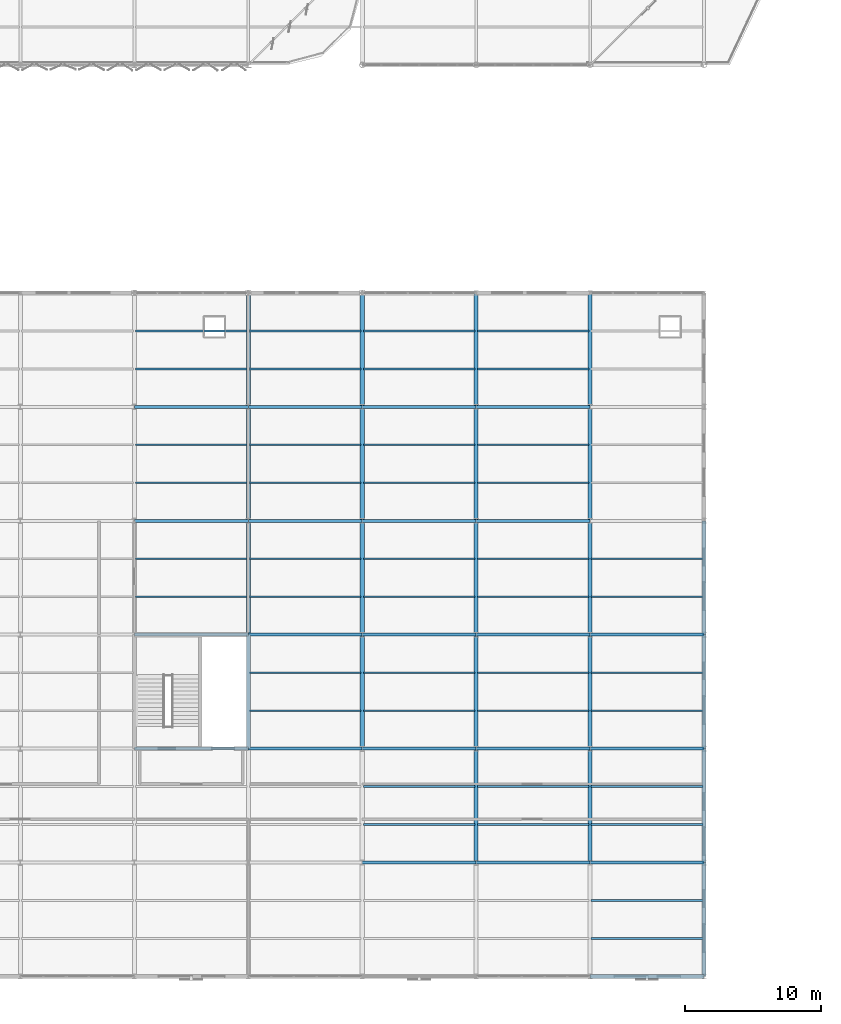
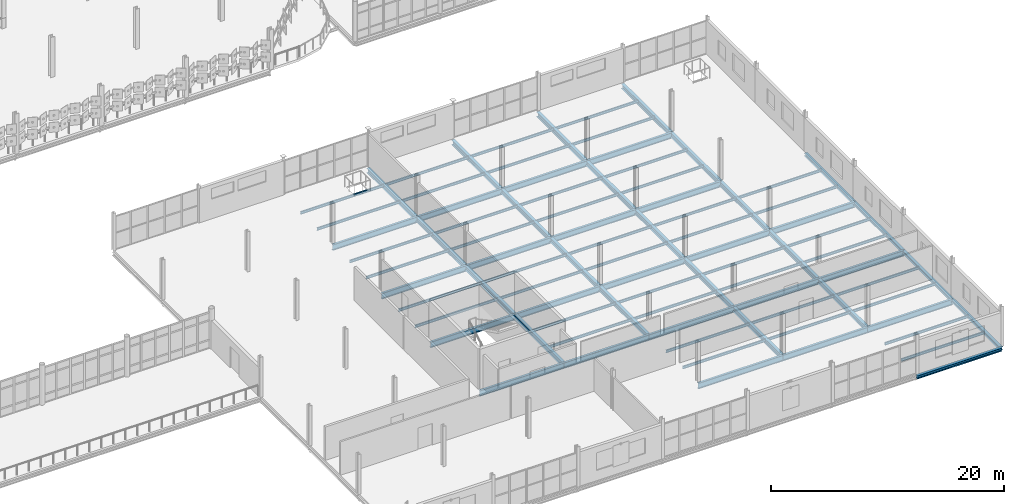
# One storey, part 98 of 163: 86 beams.
"""IFC4 building model written with IfcOpenShell, lengths in metres."""

from ifc_helpers import new_model, si_unit, direction, frame, origin, origin_2d, place, context, subcontext, project, spatial, i_section, extrude, material, material_profile, profile_set, type_object, element, save


model = new_model("IFC4")

# Units and contexts
model_context = context("Model", 3, precision=1e-05, world=origin(), true_north=direction((0.0, 1.0)))
body_context = subcontext(model_context, "Body", "Model", "MODEL_VIEW")
ifc_project = project(units=[si_unit("LENGTHUNIT", "METRE"), si_unit("AREAUNIT", "SQUARE_METRE"), si_unit("VOLUMEUNIT", "CUBIC_METRE"), si_unit("PLANEANGLEUNIT", "RADIAN"), si_unit("MASSUNIT", "GRAM", prefix="KILO")], contexts=[model_context])

# Site, building, storey
site_placement = place(None, origin())
site = spatial("IfcSite", under=ifc_project, at=site_placement, CompositionType="ELEMENT")
building_placement = place(site_placement, origin())
building = spatial("IfcBuilding", under=site, at=building_placement, Name="Qalvenar Corner Mobility Hub", CompositionType="ELEMENT")
storey_placement = place(building_placement, frame((0.0, 0.0, 4.800048828125)))
storey = spatial("IfcBuildingStorey", under=building, at=storey_placement, Name="L01", CompositionType="ELEMENT", Elevation=4.800048828125)

# Beams
ifc_material = material(Name="Steel S355", Category="steel")
ifc_material_profile_1 = material_profile(ifc_material, i_section(OverallWidth=0.300048828125, OverallDepth=0.489990234375, WebThickness=0.011962890625, FlangeThickness=0.02294921875, FilletRadius=0.027099609375, at=origin_2d()), Name="HEA500")
ifc_profile_set_1 = profile_set([ifc_material_profile_1], Name="Steel S355")
beam_type_1 = type_object("IfcBeamType", Name="BM-HEA500", PredefinedType="BEAM", material=ifc_profile_set_1)
beam_1_placement = place(storey_placement, frame((134.39990234375, 16.800048828125, -0.425048828125), z_axis=(0.0, 1.0, 0.0), x_axis=(-1.0, 0.0, 0.0)))
element("IfcBeam", 1, at=beam_1_placement, inside=storey, type_object=beam_type_1, Name="Primary Steel Girder GY-1046", PredefinedType="BEAM", context=body_context, shape_type="SweptSolid", body=[
    extrude(i_section(OverallWidth=0.300048828125, OverallDepth=0.489990234375, WebThickness=0.011962890625, FlangeThickness=0.02294921875, FilletRadius=0.027099609375, at=origin_2d()), origin(), (0.0, 0.0, 1.0), 8.39990234375),
])
beam_2_placement = place(storey_placement, frame((134.39990234375, 25.199951171875, -0.425048828125), z_axis=(0.0, 1.0, 0.0), x_axis=(-1.0, 0.0, 0.0)))
element("IfcBeam", 2, at=beam_2_placement, inside=storey, type_object=beam_type_1, Name="Primary Steel Girder GY-1047", PredefinedType="BEAM", context=body_context, shape_type="SweptSolid", body=[
    extrude(i_section(OverallWidth=0.300048828125, OverallDepth=0.489990234375, WebThickness=0.011962890625, FlangeThickness=0.02294921875, FilletRadius=0.027099609375, at=origin_2d()), origin(), (0.0, 0.0, 1.0), 8.400146484375),
])
for number, where, z_axis, x_axis, name in (
    (3, (134.39990234375, 33.60009765625, -0.425048828125), (0.0, 1.0, 0.0), (-1.0, 0.0, 0.0), "Primary Steel Girder GY-1048"),
    (4, (134.39990234375, 42.0, -0.425048828125), (0.0, 1.0, 0.0), (-1.0, 0.0, 0.0), "Primary Steel Girder GY-1049"),
    (5, (142.800048828125, 16.800048828125, -0.425048828125), (0.0, 1.0, 0.0), (-1.0, 0.0, 0.0), "Primary Steel Girder GY-1052"),
):
    element("IfcBeam", number, at=place(storey_placement, frame(where, z_axis=z_axis, x_axis=x_axis)), inside=storey, type_object=beam_type_1, Name=name, PredefinedType="BEAM", context=body_context, shape_type="SweptSolid", body=[
        extrude(i_section(OverallWidth=0.300048828125, OverallDepth=0.489990234375, WebThickness=0.011962890625, FlangeThickness=0.02294921875, FilletRadius=0.027099609375, at=origin_2d()), origin(), (0.0, 0.0, 1.0), 8.39990234375),
    ])
beam_3_placement = place(storey_placement, frame((142.800048828125, 25.199951171875, -0.425048828125), z_axis=(0.0, 1.0, 0.0), x_axis=(-1.0, 0.0, 0.0)))
element("IfcBeam", 6, at=beam_3_placement, inside=storey, type_object=beam_type_1, Name="Primary Steel Girder GY-1053", PredefinedType="BEAM", context=body_context, shape_type="SweptSolid", body=[
    extrude(i_section(OverallWidth=0.300048828125, OverallDepth=0.489990234375, WebThickness=0.011962890625, FlangeThickness=0.02294921875, FilletRadius=0.027099609375, at=origin_2d()), origin(), (0.0, 0.0, 1.0), 8.400146484375),
])
for number, where, z_axis, x_axis, name in (
    (7, (142.800048828125, 33.60009765625, -0.425048828125), (0.0, 1.0, 0.0), (-1.0, 0.0, 0.0), "Primary Steel Girder GY-1054"),
    (8, (142.800048828125, 42.0, -0.425048828125), (0.0, 1.0, 0.0), (-1.0, 0.0, 0.0), "Primary Steel Girder GY-1055"),
):
    element("IfcBeam", number, at=place(storey_placement, frame(where, z_axis=z_axis, x_axis=x_axis)), inside=storey, type_object=beam_type_1, Name=name, PredefinedType="BEAM", context=body_context, shape_type="SweptSolid", body=[
        extrude(i_section(OverallWidth=0.300048828125, OverallDepth=0.489990234375, WebThickness=0.011962890625, FlangeThickness=0.02294921875, FilletRadius=0.027099609375, at=origin_2d()), origin(), (0.0, 0.0, 1.0), 8.39990234375),
    ])
beam_4_placement = place(storey_placement, frame((151.199951171875, 8.39990234375, -0.425048828125), z_axis=(0.0, 1.0, 0.0), x_axis=(-1.0, 0.0, 0.0)))
element("IfcBeam", 9, at=beam_4_placement, inside=storey, type_object=beam_type_1, Name="Primary Steel Girder GY-1057", PredefinedType="BEAM", context=body_context, shape_type="SweptSolid", body=[
    extrude(i_section(OverallWidth=0.300048828125, OverallDepth=0.489990234375, WebThickness=0.011962890625, FlangeThickness=0.02294921875, FilletRadius=0.027099609375, at=origin_2d()), origin(), (0.0, 0.0, 1.0), 8.400146484375),
])
beam_5_placement = place(storey_placement, frame((151.199951171875, 16.800048828125, -0.425048828125), z_axis=(0.0, 1.0, 0.0), x_axis=(-1.0, 0.0, 0.0)))
element("IfcBeam", 10, at=beam_5_placement, inside=storey, type_object=beam_type_1, Name="Primary Steel Girder GY-1058", PredefinedType="BEAM", context=body_context, shape_type="SweptSolid", body=[
    extrude(i_section(OverallWidth=0.300048828125, OverallDepth=0.489990234375, WebThickness=0.011962890625, FlangeThickness=0.02294921875, FilletRadius=0.027099609375, at=origin_2d()), origin(), (0.0, 0.0, 1.0), 8.39990234375),
])
beam_6_placement = place(storey_placement, frame((151.199951171875, 25.199951171875, -0.425048828125), z_axis=(0.0, 1.0, 0.0), x_axis=(-1.0, 0.0, 0.0)))
element("IfcBeam", 11, at=beam_6_placement, inside=storey, type_object=beam_type_1, Name="Primary Steel Girder GY-1059", PredefinedType="BEAM", context=body_context, shape_type="SweptSolid", body=[
    extrude(i_section(OverallWidth=0.300048828125, OverallDepth=0.489990234375, WebThickness=0.011962890625, FlangeThickness=0.02294921875, FilletRadius=0.027099609375, at=origin_2d()), origin(), (0.0, 0.0, 1.0), 8.400146484375),
])
for number, where, z_axis, x_axis, name in (
    (12, (151.199951171875, 33.60009765625, -0.425048828125), (0.0, 1.0, 0.0), (-1.0, 0.0, 0.0), "Primary Steel Girder GY-1060"),
    (13, (151.199951171875, 42.0, -0.425048828125), (0.0, 1.0, 0.0), (-1.0, 0.0, 0.0), "Primary Steel Girder GY-1061"),
):
    element("IfcBeam", number, at=place(storey_placement, frame(where, z_axis=z_axis, x_axis=x_axis)), inside=storey, type_object=beam_type_1, Name=name, PredefinedType="BEAM", context=body_context, shape_type="SweptSolid", body=[
        extrude(i_section(OverallWidth=0.300048828125, OverallDepth=0.489990234375, WebThickness=0.011962890625, FlangeThickness=0.02294921875, FilletRadius=0.027099609375, at=origin_2d()), origin(), (0.0, 0.0, 1.0), 8.39990234375),
    ])
beam_7_placement = place(storey_placement, frame((159.60009765625, 8.39990234375, -0.425048828125), z_axis=(0.0, 1.0, 0.0), x_axis=(-1.0, 0.0, 0.0)))
element("IfcBeam", 14, at=beam_7_placement, inside=storey, type_object=beam_type_1, Name="Primary Steel Girder GY-1063", PredefinedType="BEAM", context=body_context, shape_type="SweptSolid", body=[
    extrude(i_section(OverallWidth=0.300048828125, OverallDepth=0.489990234375, WebThickness=0.011962890625, FlangeThickness=0.02294921875, FilletRadius=0.027099609375, at=origin_2d()), origin(), (0.0, 0.0, 1.0), 8.400146484375),
])
beam_8_placement = place(storey_placement, frame((159.60009765625, 16.800048828125, -0.425048828125), z_axis=(0.0, 1.0, 0.0), x_axis=(-1.0, 0.0, 0.0)))
element("IfcBeam", 15, at=beam_8_placement, inside=storey, type_object=beam_type_1, Name="Primary Steel Girder GY-1064", PredefinedType="BEAM", context=body_context, shape_type="SweptSolid", body=[
    extrude(i_section(OverallWidth=0.300048828125, OverallDepth=0.489990234375, WebThickness=0.011962890625, FlangeThickness=0.02294921875, FilletRadius=0.027099609375, at=origin_2d()), origin(), (0.0, 0.0, 1.0), 8.39990234375),
])
beam_9_placement = place(storey_placement, frame((159.60009765625, 25.199951171875, -0.425048828125), z_axis=(0.0, 1.0, 0.0), x_axis=(-1.0, 0.0, 0.0)))
element("IfcBeam", 16, at=beam_9_placement, inside=storey, type_object=beam_type_1, Name="Primary Steel Girder GY-1065", PredefinedType="BEAM", context=body_context, shape_type="SweptSolid", body=[
    extrude(i_section(OverallWidth=0.300048828125, OverallDepth=0.489990234375, WebThickness=0.011962890625, FlangeThickness=0.02294921875, FilletRadius=0.027099609375, at=origin_2d()), origin(), (0.0, 0.0, 1.0), 8.400146484375),
])
for number, where, z_axis, x_axis, name in (
    (17, (159.60009765625, 33.60009765625, -0.425048828125), (0.0, 1.0, 0.0), (-1.0, 0.0, 0.0), "Primary Steel Girder GY-1066"),
    (18, (159.60009765625, 42.0, -0.425048828125), (0.0, 1.0, 0.0), (-1.0, 0.0, 0.0), "Primary Steel Girder GY-1067"),
):
    element("IfcBeam", number, at=place(storey_placement, frame(where, z_axis=z_axis, x_axis=x_axis)), inside=storey, type_object=beam_type_1, Name=name, PredefinedType="BEAM", context=body_context, shape_type="SweptSolid", body=[
        extrude(i_section(OverallWidth=0.300048828125, OverallDepth=0.489990234375, WebThickness=0.011962890625, FlangeThickness=0.02294921875, FilletRadius=0.027099609375, at=origin_2d()), origin(), (0.0, 0.0, 1.0), 8.39990234375),
    ])
ifc_material_profile_2 = material_profile(ifc_material, i_section(OverallWidth=0.219970703125, OverallDepth=0.60009765625, WebThickness=0.011962890625, FlangeThickness=0.01904296875, FilletRadius=0.02392578125, at=origin_2d()), Name="IPE600")
ifc_profile_set_2 = profile_set([ifc_material_profile_2], Name="Steel S355")
beam_type_2 = type_object("IfcBeamType", Name="BM-IPE600", PredefinedType="BEAM", material=ifc_profile_set_2)
beam_10_placement = place(storey_placement, frame((142.800048828125, 8.39990234375, -0.47998046875), z_axis=(1.0, 0.0, 0.0), x_axis=(0.0, 1.0, 0.0)))
element("IfcBeam", 19, at=beam_10_placement, inside=storey, type_object=beam_type_2, Name="Primary Steel Girder GX-0989", PredefinedType="BEAM", context=body_context, shape_type="SweptSolid", body=[
    extrude(i_section(OverallWidth=0.219970703125, OverallDepth=0.60009765625, WebThickness=0.011962890625, FlangeThickness=0.01904296875, FilletRadius=0.02392578125, at=origin_2d()), origin(), (0.0, 0.0, 1.0), 8.39990234375),
])
beam_11_placement = place(storey_placement, frame((151.199951171875, 8.39990234375, -0.47998046875), z_axis=(1.0, 0.0, 0.0), x_axis=(0.0, 1.0, 0.0)))
element("IfcBeam", 20, at=beam_11_placement, inside=storey, type_object=beam_type_2, Name="Primary Steel Girder GX-0990", PredefinedType="BEAM", context=body_context, shape_type="SweptSolid", body=[
    extrude(i_section(OverallWidth=0.219970703125, OverallDepth=0.60009765625, WebThickness=0.011962890625, FlangeThickness=0.01904296875, FilletRadius=0.02392578125, at=origin_2d()), origin(), (0.0, 0.0, 1.0), 8.400146484375),
])
for number, where, z_axis, x_axis, name in (
    (21, (159.60009765625, 8.39990234375, -0.47998046875), (1.0, 0.0, 0.0), (0.0, 1.0, 0.0), "Primary Steel Girder GX-0991"),
    (22, (126.0, 16.800048828125, -0.47998046875), (1.0, 0.0, 0.0), (0.0, 1.0, 0.0), "Primary Steel Girder GX-0994"),
):
    element("IfcBeam", number, at=place(storey_placement, frame(where, z_axis=z_axis, x_axis=x_axis)), inside=storey, type_object=beam_type_2, Name=name, PredefinedType="BEAM", context=body_context, shape_type="SweptSolid", body=[
        extrude(i_section(OverallWidth=0.219970703125, OverallDepth=0.60009765625, WebThickness=0.011962890625, FlangeThickness=0.01904296875, FilletRadius=0.02392578125, at=origin_2d()), origin(), (0.0, 0.0, 1.0), 8.39990234375),
    ])
beam_12_placement = place(storey_placement, frame((134.39990234375, 16.800048828125, -0.47998046875), z_axis=(1.0, 0.0, 0.0), x_axis=(0.0, 1.0, 0.0)))
element("IfcBeam", 23, at=beam_12_placement, inside=storey, type_object=beam_type_2, Name="Primary Steel Girder GX-0995", PredefinedType="BEAM", context=body_context, shape_type="SweptSolid", body=[
    extrude(i_section(OverallWidth=0.219970703125, OverallDepth=0.60009765625, WebThickness=0.011962890625, FlangeThickness=0.01904296875, FilletRadius=0.02392578125, at=origin_2d()), origin(), (0.0, 0.0, 1.0), 8.400146484375),
])
beam_13_placement = place(storey_placement, frame((142.800048828125, 16.800048828125, -0.47998046875), z_axis=(1.0, 0.0, 0.0), x_axis=(0.0, 1.0, 0.0)))
element("IfcBeam", 24, at=beam_13_placement, inside=storey, type_object=beam_type_2, Name="Primary Steel Girder GX-0996", PredefinedType="BEAM", context=body_context, shape_type="SweptSolid", body=[
    extrude(i_section(OverallWidth=0.219970703125, OverallDepth=0.60009765625, WebThickness=0.011962890625, FlangeThickness=0.01904296875, FilletRadius=0.02392578125, at=origin_2d()), origin(), (0.0, 0.0, 1.0), 8.39990234375),
])
beam_14_placement = place(storey_placement, frame((151.199951171875, 16.800048828125, -0.47998046875), z_axis=(1.0, 0.0, 0.0), x_axis=(0.0, 1.0, 0.0)))
element("IfcBeam", 25, at=beam_14_placement, inside=storey, type_object=beam_type_2, Name="Primary Steel Girder GX-0997", PredefinedType="BEAM", context=body_context, shape_type="SweptSolid", body=[
    extrude(i_section(OverallWidth=0.219970703125, OverallDepth=0.60009765625, WebThickness=0.011962890625, FlangeThickness=0.01904296875, FilletRadius=0.02392578125, at=origin_2d()), origin(), (0.0, 0.0, 1.0), 8.400146484375),
])
for number, where, z_axis, x_axis, name in (
    (26, (159.60009765625, 16.800048828125, -0.47998046875), (1.0, 0.0, 0.0), (0.0, 1.0, 0.0), "Primary Steel Girder GX-0998"),
    (27, (126.0, 25.199951171875, -0.47998046875), (1.0, 0.0, 0.0), (0.0, 1.0, 0.0), "Primary Steel Girder GX-1001"),
):
    element("IfcBeam", number, at=place(storey_placement, frame(where, z_axis=z_axis, x_axis=x_axis)), inside=storey, type_object=beam_type_2, Name=name, PredefinedType="BEAM", context=body_context, shape_type="SweptSolid", body=[
        extrude(i_section(OverallWidth=0.219970703125, OverallDepth=0.60009765625, WebThickness=0.011962890625, FlangeThickness=0.01904296875, FilletRadius=0.02392578125, at=origin_2d()), origin(), (0.0, 0.0, 1.0), 8.39990234375),
    ])
beam_15_placement = place(storey_placement, frame((134.39990234375, 25.199951171875, -0.47998046875), z_axis=(1.0, 0.0, 0.0), x_axis=(0.0, 1.0, 0.0)))
element("IfcBeam", 28, at=beam_15_placement, inside=storey, type_object=beam_type_2, Name="Primary Steel Girder GX-1002", PredefinedType="BEAM", context=body_context, shape_type="SweptSolid", body=[
    extrude(i_section(OverallWidth=0.219970703125, OverallDepth=0.60009765625, WebThickness=0.011962890625, FlangeThickness=0.01904296875, FilletRadius=0.02392578125, at=origin_2d()), origin(), (0.0, 0.0, 1.0), 8.400146484375),
])
beam_16_placement = place(storey_placement, frame((142.800048828125, 25.199951171875, -0.47998046875), z_axis=(1.0, 0.0, 0.0), x_axis=(0.0, 1.0, 0.0)))
element("IfcBeam", 29, at=beam_16_placement, inside=storey, type_object=beam_type_2, Name="Primary Steel Girder GX-1003", PredefinedType="BEAM", context=body_context, shape_type="SweptSolid", body=[
    extrude(i_section(OverallWidth=0.219970703125, OverallDepth=0.60009765625, WebThickness=0.011962890625, FlangeThickness=0.01904296875, FilletRadius=0.02392578125, at=origin_2d()), origin(), (0.0, 0.0, 1.0), 8.39990234375),
])
beam_17_placement = place(storey_placement, frame((151.199951171875, 25.199951171875, -0.47998046875), z_axis=(1.0, 0.0, 0.0), x_axis=(0.0, 1.0, 0.0)))
element("IfcBeam", 30, at=beam_17_placement, inside=storey, type_object=beam_type_2, Name="Primary Steel Girder GX-1004", PredefinedType="BEAM", context=body_context, shape_type="SweptSolid", body=[
    extrude(i_section(OverallWidth=0.219970703125, OverallDepth=0.60009765625, WebThickness=0.011962890625, FlangeThickness=0.01904296875, FilletRadius=0.02392578125, at=origin_2d()), origin(), (0.0, 0.0, 1.0), 8.400146484375),
])
for number, where, z_axis, x_axis, name in (
    (31, (159.60009765625, 25.199951171875, -0.47998046875), (1.0, 0.0, 0.0), (0.0, 1.0, 0.0), "Primary Steel Girder GX-1005"),
    (32, (126.0, 33.60009765625, -0.47998046875), (1.0, 0.0, 0.0), (0.0, 1.0, 0.0), "Primary Steel Girder GX-1008"),
):
    element("IfcBeam", number, at=place(storey_placement, frame(where, z_axis=z_axis, x_axis=x_axis)), inside=storey, type_object=beam_type_2, Name=name, PredefinedType="BEAM", context=body_context, shape_type="SweptSolid", body=[
        extrude(i_section(OverallWidth=0.219970703125, OverallDepth=0.60009765625, WebThickness=0.011962890625, FlangeThickness=0.01904296875, FilletRadius=0.02392578125, at=origin_2d()), origin(), (0.0, 0.0, 1.0), 8.39990234375),
    ])
beam_18_placement = place(storey_placement, frame((134.39990234375, 33.60009765625, -0.47998046875), z_axis=(1.0, 0.0, 0.0), x_axis=(0.0, 1.0, 0.0)))
element("IfcBeam", 33, at=beam_18_placement, inside=storey, type_object=beam_type_2, Name="Primary Steel Girder GX-1009", PredefinedType="BEAM", context=body_context, shape_type="SweptSolid", body=[
    extrude(i_section(OverallWidth=0.219970703125, OverallDepth=0.60009765625, WebThickness=0.011962890625, FlangeThickness=0.01904296875, FilletRadius=0.02392578125, at=origin_2d()), origin(), (0.0, 0.0, 1.0), 8.400146484375),
])
beam_19_placement = place(storey_placement, frame((142.800048828125, 33.60009765625, -0.47998046875), z_axis=(1.0, 0.0, 0.0), x_axis=(0.0, 1.0, 0.0)))
element("IfcBeam", 34, at=beam_19_placement, inside=storey, type_object=beam_type_2, Name="Primary Steel Girder GX-1010", PredefinedType="BEAM", context=body_context, shape_type="SweptSolid", body=[
    extrude(i_section(OverallWidth=0.219970703125, OverallDepth=0.60009765625, WebThickness=0.011962890625, FlangeThickness=0.01904296875, FilletRadius=0.02392578125, at=origin_2d()), origin(), (0.0, 0.0, 1.0), 8.39990234375),
])
beam_20_placement = place(storey_placement, frame((151.199951171875, 33.60009765625, -0.47998046875), z_axis=(1.0, 0.0, 0.0), x_axis=(0.0, 1.0, 0.0)))
element("IfcBeam", 35, at=beam_20_placement, inside=storey, type_object=beam_type_2, Name="Primary Steel Girder GX-1011", PredefinedType="BEAM", context=body_context, shape_type="SweptSolid", body=[
    extrude(i_section(OverallWidth=0.219970703125, OverallDepth=0.60009765625, WebThickness=0.011962890625, FlangeThickness=0.01904296875, FilletRadius=0.02392578125, at=origin_2d()), origin(), (0.0, 0.0, 1.0), 8.400146484375),
])
beam_21_placement = place(storey_placement, frame((126.0, 42.0, -0.47998046875), z_axis=(1.0, 0.0, 0.0), x_axis=(0.0, 1.0, 0.0)))
element("IfcBeam", 36, at=beam_21_placement, inside=storey, type_object=beam_type_2, Name="Primary Steel Girder GX-1015", PredefinedType="BEAM", context=body_context, shape_type="SweptSolid", body=[
    extrude(i_section(OverallWidth=0.219970703125, OverallDepth=0.60009765625, WebThickness=0.011962890625, FlangeThickness=0.01904296875, FilletRadius=0.02392578125, at=origin_2d()), origin(), (0.0, 0.0, 1.0), 8.39990234375),
])
beam_22_placement = place(storey_placement, frame((134.39990234375, 42.0, -0.47998046875), z_axis=(1.0, 0.0, 0.0), x_axis=(0.0, 1.0, 0.0)))
element("IfcBeam", 37, at=beam_22_placement, inside=storey, type_object=beam_type_2, Name="Primary Steel Girder GX-1016", PredefinedType="BEAM", context=body_context, shape_type="SweptSolid", body=[
    extrude(i_section(OverallWidth=0.219970703125, OverallDepth=0.60009765625, WebThickness=0.011962890625, FlangeThickness=0.01904296875, FilletRadius=0.02392578125, at=origin_2d()), origin(), (0.0, 0.0, 1.0), 8.400146484375),
])
beam_23_placement = place(storey_placement, frame((142.800048828125, 42.0, -0.47998046875), z_axis=(1.0, 0.0, 0.0), x_axis=(0.0, 1.0, 0.0)))
element("IfcBeam", 38, at=beam_23_placement, inside=storey, type_object=beam_type_2, Name="Primary Steel Girder GX-1017", PredefinedType="BEAM", context=body_context, shape_type="SweptSolid", body=[
    extrude(i_section(OverallWidth=0.219970703125, OverallDepth=0.60009765625, WebThickness=0.011962890625, FlangeThickness=0.01904296875, FilletRadius=0.02392578125, at=origin_2d()), origin(), (0.0, 0.0, 1.0), 8.39990234375),
])
beam_24_placement = place(storey_placement, frame((151.199951171875, 42.0, -0.47998046875), z_axis=(1.0, 0.0, 0.0), x_axis=(0.0, 1.0, 0.0)))
element("IfcBeam", 39, at=beam_24_placement, inside=storey, type_object=beam_type_2, Name="Primary Steel Girder GX-1018", PredefinedType="BEAM", context=body_context, shape_type="SweptSolid", body=[
    extrude(i_section(OverallWidth=0.219970703125, OverallDepth=0.60009765625, WebThickness=0.011962890625, FlangeThickness=0.01904296875, FilletRadius=0.02392578125, at=origin_2d()), origin(), (0.0, 0.0, 1.0), 8.400146484375),
])
ifc_material_profile_3 = material_profile(ifc_material, i_section(OverallWidth=0.135009765625, OverallDepth=0.27001953125, WebThickness=0.006591796875, FlangeThickness=0.01025390625, FilletRadius=0.014892578125, at=origin_2d()), Name="IPE270")
ifc_profile_set_3 = profile_set([ifc_material_profile_3], Name="Steel S355")
beam_type_3 = type_object("IfcBeamType", Name="BM-JST270", PredefinedType="JOIST", material=ifc_profile_set_3)
for number, where, z_axis, x_axis, name in (
    (40, (126.077880859375, 28.0, -0.31494140625), (1.0, 0.0, 0.0), (0.0, 1.0, 0.0), "Composite Floor Joist J-1102"),
    (41, (126.077880859375, 30.800048828125, -0.31494140625), (1.0, 0.0, 0.0), (0.0, 1.0, 0.0), "Composite Floor Joist J-1103"),
    (42, (126.077880859375, 36.39990234375, -0.31494140625), (1.0, 0.0, 0.0), (0.0, 1.0, 0.0), "Composite Floor Joist J-1104"),
    (43, (126.077880859375, 39.199951171875, -0.31494140625), (1.0, 0.0, 0.0), (0.0, 1.0, 0.0), "Composite Floor Joist J-1105"),
    (44, (126.077880859375, 44.800048828125, -0.31494140625), (1.0, 0.0, 0.0), (0.0, 1.0, 0.0), "Composite Floor Joist J-1106"),
    (45, (126.077880859375, 47.60009765625, -0.31494140625), (1.0, 0.0, 0.0), (0.0, 1.0, 0.0), "Composite Floor Joist J-1107"),
):
    element("IfcBeam", number, at=place(storey_placement, frame(where, z_axis=z_axis, x_axis=x_axis)), inside=storey, type_object=beam_type_3, Name=name, PredefinedType="JOIST", context=body_context, shape_type="SweptSolid", body=[
        extrude(i_section(OverallWidth=0.135009765625, OverallDepth=0.27001953125, WebThickness=0.006591796875, FlangeThickness=0.01025390625, FilletRadius=0.014892578125, at=origin_2d()), origin(), (0.0, 0.0, 1.0), 8.244140625),
    ])
for number, where, z_axis, x_axis, name in (
    (46, (134.47802734375, 19.60009765625, -0.31494140625), (1.0, 0.0, 0.0), (0.0, 1.0, 0.0), "Composite Floor Joist J-1112"),
    (47, (134.47802734375, 22.39990234375, -0.31494140625), (1.0, 0.0, 0.0), (0.0, 1.0, 0.0), "Composite Floor Joist J-1113"),
    (48, (134.47802734375, 28.0, -0.31494140625), (1.0, 0.0, 0.0), (0.0, 1.0, 0.0), "Composite Floor Joist J-1114"),
    (49, (134.47802734375, 30.800048828125, -0.31494140625), (1.0, 0.0, 0.0), (0.0, 1.0, 0.0), "Composite Floor Joist J-1115"),
    (50, (134.47802734375, 36.39990234375, -0.31494140625), (1.0, 0.0, 0.0), (0.0, 1.0, 0.0), "Composite Floor Joist J-1116"),
    (51, (134.47802734375, 39.199951171875, -0.31494140625), (1.0, 0.0, 0.0), (0.0, 1.0, 0.0), "Composite Floor Joist J-1117"),
    (52, (134.47802734375, 44.800048828125, -0.31494140625), (1.0, 0.0, 0.0), (0.0, 1.0, 0.0), "Composite Floor Joist J-1118"),
    (53, (134.47802734375, 47.60009765625, -0.31494140625), (1.0, 0.0, 0.0), (0.0, 1.0, 0.0), "Composite Floor Joist J-1119"),
):
    element("IfcBeam", number, at=place(storey_placement, frame(where, z_axis=z_axis, x_axis=x_axis)), inside=storey, type_object=beam_type_3, Name=name, PredefinedType="JOIST", context=body_context, shape_type="SweptSolid", body=[
        extrude(i_section(OverallWidth=0.135009765625, OverallDepth=0.27001953125, WebThickness=0.006591796875, FlangeThickness=0.01025390625, FilletRadius=0.014892578125, at=origin_2d()), origin(), (0.0, 0.0, 1.0), 8.243896484375),
    ])
for number, where, z_axis, x_axis, name in (
    (54, (142.8779296875, 11.199951171875, -0.31494140625), (1.0, 0.0, 0.0), (0.0, 1.0, 0.0), "Composite Floor Joist J-1122"),
    (55, (142.8779296875, 14.0, -0.31494140625), (1.0, 0.0, 0.0), (0.0, 1.0, 0.0), "Composite Floor Joist J-1123"),
    (56, (142.8779296875, 19.60009765625, -0.31494140625), (1.0, 0.0, 0.0), (0.0, 1.0, 0.0), "Composite Floor Joist J-1124"),
    (57, (142.8779296875, 22.39990234375, -0.31494140625), (1.0, 0.0, 0.0), (0.0, 1.0, 0.0), "Composite Floor Joist J-1125"),
    (58, (142.8779296875, 28.0, -0.31494140625), (1.0, 0.0, 0.0), (0.0, 1.0, 0.0), "Composite Floor Joist J-1126"),
    (59, (142.8779296875, 30.800048828125, -0.31494140625), (1.0, 0.0, 0.0), (0.0, 1.0, 0.0), "Composite Floor Joist J-1127"),
    (60, (142.8779296875, 36.39990234375, -0.31494140625), (1.0, 0.0, 0.0), (0.0, 1.0, 0.0), "Composite Floor Joist J-1128"),
    (61, (142.8779296875, 39.199951171875, -0.31494140625), (1.0, 0.0, 0.0), (0.0, 1.0, 0.0), "Composite Floor Joist J-1129"),
    (62, (142.8779296875, 44.800048828125, -0.31494140625), (1.0, 0.0, 0.0), (0.0, 1.0, 0.0), "Composite Floor Joist J-1130"),
    (63, (142.8779296875, 47.60009765625, -0.31494140625), (1.0, 0.0, 0.0), (0.0, 1.0, 0.0), "Composite Floor Joist J-1131"),
):
    element("IfcBeam", number, at=place(storey_placement, frame(where, z_axis=z_axis, x_axis=x_axis)), inside=storey, type_object=beam_type_3, Name=name, PredefinedType="JOIST", context=body_context, shape_type="SweptSolid", body=[
        extrude(i_section(OverallWidth=0.135009765625, OverallDepth=0.27001953125, WebThickness=0.006591796875, FlangeThickness=0.01025390625, FilletRadius=0.014892578125, at=origin_2d()), origin(), (0.0, 0.0, 1.0), 8.244140625),
    ])
for number, where, z_axis, x_axis, name in (
    (64, (151.278076171875, 11.199951171875, -0.31494140625), (1.0, 0.0, 0.0), (0.0, 1.0, 0.0), "Composite Floor Joist J-1134"),
    (65, (151.278076171875, 14.0, -0.31494140625), (1.0, 0.0, 0.0), (0.0, 1.0, 0.0), "Composite Floor Joist J-1135"),
    (66, (151.278076171875, 19.60009765625, -0.31494140625), (1.0, 0.0, 0.0), (0.0, 1.0, 0.0), "Composite Floor Joist J-1136"),
    (67, (151.278076171875, 22.39990234375, -0.31494140625), (1.0, 0.0, 0.0), (0.0, 1.0, 0.0), "Composite Floor Joist J-1137"),
    (68, (151.278076171875, 28.0, -0.31494140625), (1.0, 0.0, 0.0), (0.0, 1.0, 0.0), "Composite Floor Joist J-1138"),
    (69, (151.278076171875, 30.800048828125, -0.31494140625), (1.0, 0.0, 0.0), (0.0, 1.0, 0.0), "Composite Floor Joist J-1139"),
    (70, (151.278076171875, 36.39990234375, -0.31494140625), (1.0, 0.0, 0.0), (0.0, 1.0, 0.0), "Composite Floor Joist J-1140"),
    (71, (151.278076171875, 39.199951171875, -0.31494140625), (1.0, 0.0, 0.0), (0.0, 1.0, 0.0), "Composite Floor Joist J-1141"),
    (72, (151.278076171875, 44.800048828125, -0.31494140625), (1.0, 0.0, 0.0), (0.0, 1.0, 0.0), "Composite Floor Joist J-1142"),
    (73, (151.278076171875, 47.60009765625, -0.31494140625), (1.0, 0.0, 0.0), (0.0, 1.0, 0.0), "Composite Floor Joist J-1143"),
):
    element("IfcBeam", number, at=place(storey_placement, frame(where, z_axis=z_axis, x_axis=x_axis)), inside=storey, type_object=beam_type_3, Name=name, PredefinedType="JOIST", context=body_context, shape_type="SweptSolid", body=[
        extrude(i_section(OverallWidth=0.135009765625, OverallDepth=0.27001953125, WebThickness=0.006591796875, FlangeThickness=0.01025390625, FilletRadius=0.014892578125, at=origin_2d()), origin(), (0.0, 0.0, 1.0), 8.243896484375),
    ])
for number, where, z_axis, x_axis, name in (
    (74, (159.677978515625, 2.800048828125, -0.31494140625), (1.0, 0.0, 0.0), (0.0, 1.0, 0.0), "Composite Floor Joist J-1144"),
    (75, (159.677978515625, 5.60009765625, -0.31494140625), (1.0, 0.0, 0.0), (0.0, 1.0, 0.0), "Composite Floor Joist J-1145"),
    (76, (159.677978515625, 11.199951171875, -0.31494140625), (1.0, 0.0, 0.0), (0.0, 1.0, 0.0), "Composite Floor Joist J-1146"),
    (77, (159.677978515625, 14.0, -0.31494140625), (1.0, 0.0, 0.0), (0.0, 1.0, 0.0), "Composite Floor Joist J-1147"),
    (78, (159.677978515625, 19.60009765625, -0.31494140625), (1.0, 0.0, 0.0), (0.0, 1.0, 0.0), "Composite Floor Joist J-1148"),
    (79, (159.677978515625, 22.39990234375, -0.31494140625), (1.0, 0.0, 0.0), (0.0, 1.0, 0.0), "Composite Floor Joist J-1149"),
    (80, (159.677978515625, 28.0, -0.31494140625), (1.0, 0.0, 0.0), (0.0, 1.0, 0.0), "Composite Floor Joist J-1150"),
    (81, (159.677978515625, 30.800048828125, -0.31494140625), (1.0, 0.0, 0.0), (0.0, 1.0, 0.0), "Composite Floor Joist J-1151"),
):
    element("IfcBeam", number, at=place(storey_placement, frame(where, z_axis=z_axis, x_axis=x_axis)), inside=storey, type_object=beam_type_3, Name=name, PredefinedType="JOIST", context=body_context, shape_type="SweptSolid", body=[
        extrude(i_section(OverallWidth=0.135009765625, OverallDepth=0.27001953125, WebThickness=0.006591796875, FlangeThickness=0.01025390625, FilletRadius=0.014892578125, at=origin_2d()), origin(), (0.0, 0.0, 1.0), 8.244140625),
    ])
ifc_material_profile_4 = material_profile(ifc_material, i_section(OverallWidth=0.300048828125, OverallDepth=0.31005859375, WebThickness=0.009033203125, FlangeThickness=0.015380859375, FilletRadius=0.027099609375, at=origin_2d()), Name="HEA320")
ifc_profile_set_4 = profile_set([ifc_material_profile_4], Name="Steel S355")
beam_type_4 = type_object("IfcBeamType", Name="BM-SPN320", PredefinedType="SPANDREL", material=ifc_profile_set_4)
beam_25_placement = place(storey_placement, frame((168.0, 0.0, -0.3349609375), z_axis=(0.0, 1.0, 0.0), x_axis=(-1.0, 0.0, 0.0)))
element("IfcBeam", 82, at=beam_25_placement, inside=storey, type_object=beam_type_4, Name="Primary Steel Girder GY-1068", PredefinedType="SPANDREL", context=body_context, shape_type="SweptSolid", body=[
    extrude(i_section(OverallWidth=0.300048828125, OverallDepth=0.31005859375, WebThickness=0.009033203125, FlangeThickness=0.015380859375, FilletRadius=0.027099609375, at=origin_2d()), origin(), (0.0, 0.0, 1.0), 8.39990234375),
])
beam_26_placement = place(storey_placement, frame((168.0, 8.39990234375, -0.3349609375), z_axis=(0.0, 1.0, 0.0), x_axis=(-1.0, 0.0, 0.0)))
element("IfcBeam", 83, at=beam_26_placement, inside=storey, type_object=beam_type_4, Name="Primary Steel Girder GY-1069", PredefinedType="SPANDREL", context=body_context, shape_type="SweptSolid", body=[
    extrude(i_section(OverallWidth=0.300048828125, OverallDepth=0.31005859375, WebThickness=0.009033203125, FlangeThickness=0.015380859375, FilletRadius=0.027099609375, at=origin_2d()), origin(), (0.0, 0.0, 1.0), 8.400146484375),
])
beam_27_placement = place(storey_placement, frame((168.0, 16.800048828125, -0.3349609375), z_axis=(0.0, 1.0, 0.0), x_axis=(-1.0, 0.0, 0.0)))
element("IfcBeam", 84, at=beam_27_placement, inside=storey, type_object=beam_type_4, Name="Primary Steel Girder GY-1070", PredefinedType="SPANDREL", context=body_context, shape_type="SweptSolid", body=[
    extrude(i_section(OverallWidth=0.300048828125, OverallDepth=0.31005859375, WebThickness=0.009033203125, FlangeThickness=0.015380859375, FilletRadius=0.027099609375, at=origin_2d()), origin(), (0.0, 0.0, 1.0), 8.39990234375),
])
beam_28_placement = place(storey_placement, frame((168.0, 25.199951171875, -0.3349609375), z_axis=(0.0, 1.0, 0.0), x_axis=(-1.0, 0.0, 0.0)))
element("IfcBeam", 85, at=beam_28_placement, inside=storey, type_object=beam_type_4, Name="Primary Steel Girder GY-1071", PredefinedType="SPANDREL", context=body_context, shape_type="SweptSolid", body=[
    extrude(i_section(OverallWidth=0.300048828125, OverallDepth=0.31005859375, WebThickness=0.009033203125, FlangeThickness=0.015380859375, FilletRadius=0.027099609375, at=origin_2d()), origin(), (0.0, 0.0, 1.0), 8.400146484375),
])
ifc_material_profile_5 = material_profile(ifc_material, i_section(OverallWidth=0.300048828125, OverallDepth=0.330078125, WebThickness=0.009521484375, FlangeThickness=0.0166015625, FilletRadius=0.027099609375, at=origin_2d()), Name="HEA340")
ifc_profile_set_5 = profile_set([ifc_material_profile_5], Name="Steel S355")
beam_type_5 = type_object("IfcBeamType", Name="BM-SPN340", PredefinedType="SPANDREL", material=ifc_profile_set_5)
beam_29_placement = place(storey_placement, frame((159.60009765625, 0.0, -0.344970703125), z_axis=(1.0, 0.0, 0.0), x_axis=(0.0, 1.0, 0.0)))
element("IfcBeam", 86, at=beam_29_placement, inside=storey, type_object=beam_type_5, Name="Primary Steel Girder GX-0984", PredefinedType="SPANDREL", context=body_context, shape_type="SweptSolid", body=[
    extrude(i_section(OverallWidth=0.300048828125, OverallDepth=0.330078125, WebThickness=0.009521484375, FlangeThickness=0.0166015625, FilletRadius=0.027099609375, at=origin_2d()), origin(), (0.0, 0.0, 1.0), 8.39990234375),
])

save(model, "model.ifc")
